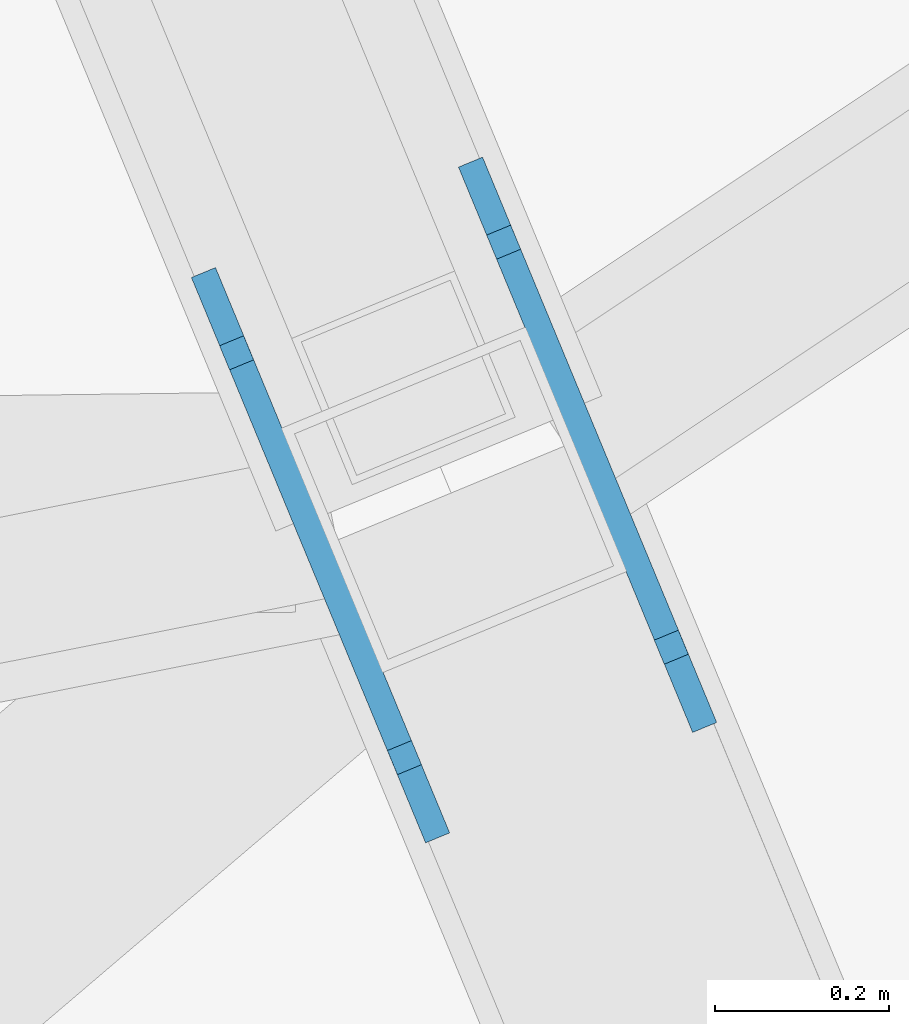
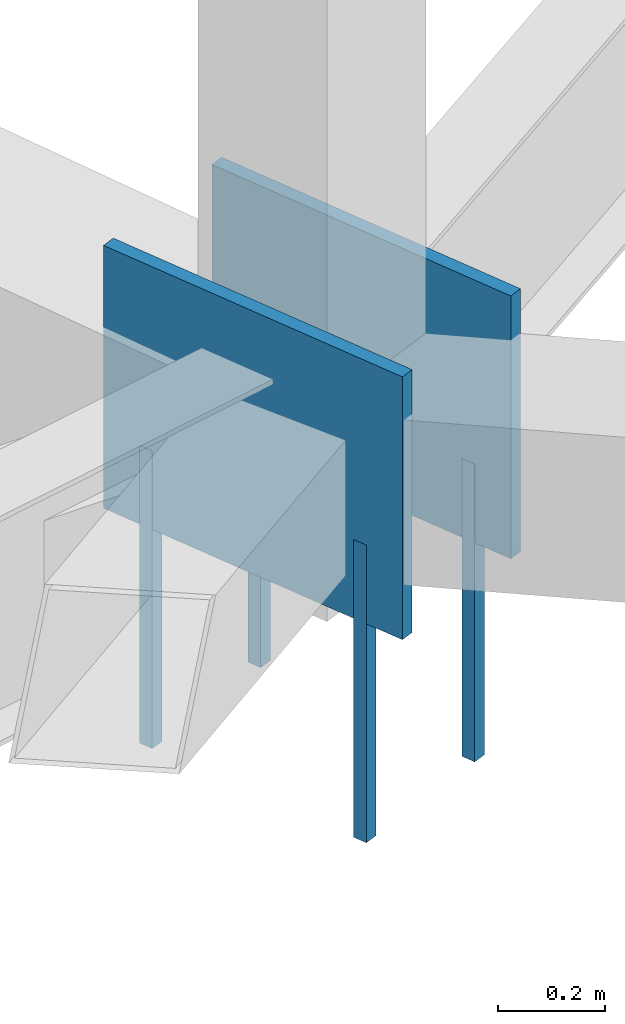
# One storey, part 173 of 278: 4 mechanical fasteners, 2 discrete accessories.
"""IFC4 building model written with IfcOpenShell, lengths in metres."""

from ifc_helpers import new_model, si_unit, direction, frame, origin, origin_2d, place, context, subcontext, project, spatial, rectangle, extrude, material, layer, layer_set, type_object, element, save


model = new_model("IFC4")

# Units and contexts
model_context = context("Model", 3, precision=1e-05, world=origin(), true_north=direction((0.0, 1.0)))
body_context = subcontext(model_context, "Body", "Model", "MODEL_VIEW")
ifc_project = project(units=[si_unit("LENGTHUNIT", "METRE"), si_unit("AREAUNIT", "SQUARE_METRE"), si_unit("VOLUMEUNIT", "CUBIC_METRE"), si_unit("PLANEANGLEUNIT", "RADIAN"), si_unit("MASSUNIT", "GRAM", prefix="KILO")], contexts=[model_context])

# Site, building, storey
site_placement = place(None, origin())
site = spatial("IfcSite", under=ifc_project, at=site_placement, CompositionType="ELEMENT")
building_placement = place(site_placement, origin())
building = spatial("IfcBuilding", under=site, at=building_placement, Name="Ogive Plaza Stadium", CompositionType="ELEMENT")
storey_placement = place(building_placement, frame((0.0, 0.0, 29.0)))
storey = spatial("IfcBuildingStorey", under=building, at=storey_placement, Name="Roof", CompositionType="ELEMENT", Elevation=29.0)

# Mechanical fasteners
ifc_material_1 = material(Name="Steel ASTM A992 Grade 50", Category="steel")
mechanical_fastener_type = type_object("IfcMechanicalFastenerType", Name="Anchor bolt M30 x 600", PredefinedType="ANCHORBOLT", material=ifc_material_1)
for number, where, z_axis, x_axis, name in (
    (1, (49.5576171875, -89.624755859375, -0.5), (0.0, 0.0, 1.0), (0.382683432365, -0.923879532511, 0.0), "ANCHOR BOLT 11 BP 1.1"),
    (2, (49.364501953125, -89.158203125, -0.5), (0.0, 0.0, 1.0), (0.382683432365, -0.923879532511, 0.0), "ANCHOR BOLT 11 BP 1.2"),
    (3, (49.250244140625, -89.751953125, -0.5), (0.0, 0.0, 1.0), (0.382683432365, -0.923879532511, 0.0), "ANCHOR BOLT 11 BP 2.1"),
    (4, (49.056884765625, -89.28564453125, -0.5), (0.0, 0.0, 1.0), (0.382683432365, -0.923879532511, 0.0), "ANCHOR BOLT 11 BP 2.2"),
):
    element("IfcMechanicalFastener", number, at=place(storey_placement, frame(where, z_axis=z_axis, x_axis=x_axis)), inside=storey, type_object=mechanical_fastener_type, Name=name, PredefinedType="ANCHORBOLT", context=body_context, shape_type="SweptSolid", body=[
        extrude(rectangle(XDim=0.030029296875, YDim=0.030029296875, at=origin_2d()), origin(), (0.0, 0.0, 1.0), 0.679931640625),
    ])

# Discrete accessories
ifc_material_2 = material(Name="Steel ASTM A992 Grade 50", Category="steel")
ifc_layer = layer(ifc_material_2, 0.030029296875)
ifc_layer_set = layer_set([ifc_layer], Name="Steel ASTM A992 Grade 50")
discrete_accessory_type = type_object("IfcDiscreteAccessoryType", Name="Truss root foot cleat plate 30", PredefinedType="ANCHORPLATE", material=ifc_layer_set)
for number, where, z_axis, x_axis, name in (
    (5, (49.461181640625, -89.3916015625, 0.0), (0.0, 0.0, 1.0), (0.382683432365, -0.923879532511, 0.0), "TRUSS ROOT FOOT CLEAT PLATE 11 1"),
    (6, (49.153564453125, -89.518798828125, 0.0), (0.0, 0.0, 1.0), (0.382683432365, -0.923879532511, 0.0), "TRUSS ROOT FOOT CLEAT PLATE 11 2"),
):
    element("IfcDiscreteAccessory", number, at=place(storey_placement, frame(where, z_axis=z_axis, x_axis=x_axis)), inside=storey, type_object=discrete_accessory_type, Name=name, PredefinedType="ANCHORPLATE", context=body_context, shape_type="SweptSolid", body=[
        extrude(rectangle(XDim=0.704833984375, YDim=0.030029296875, at=origin_2d()), origin(), (0.0, 0.0, 1.0), 0.60009765625),
    ])

save(model, "model.ifc")
